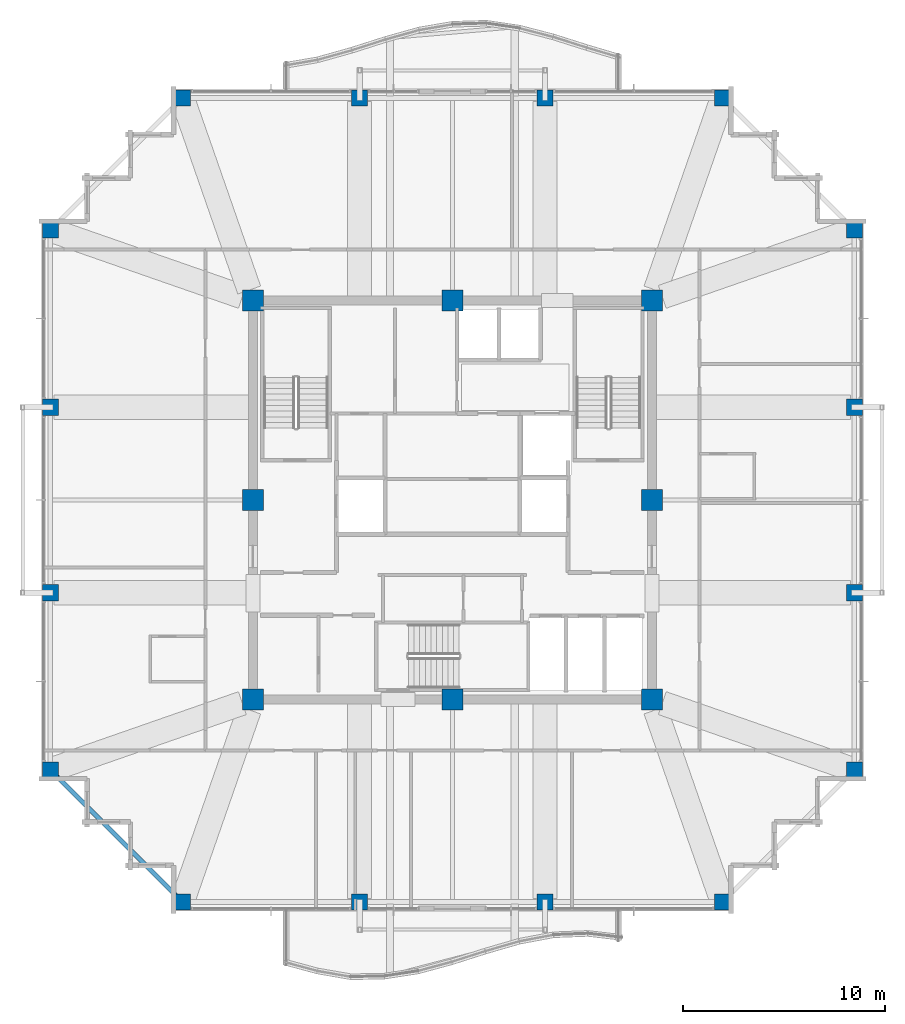
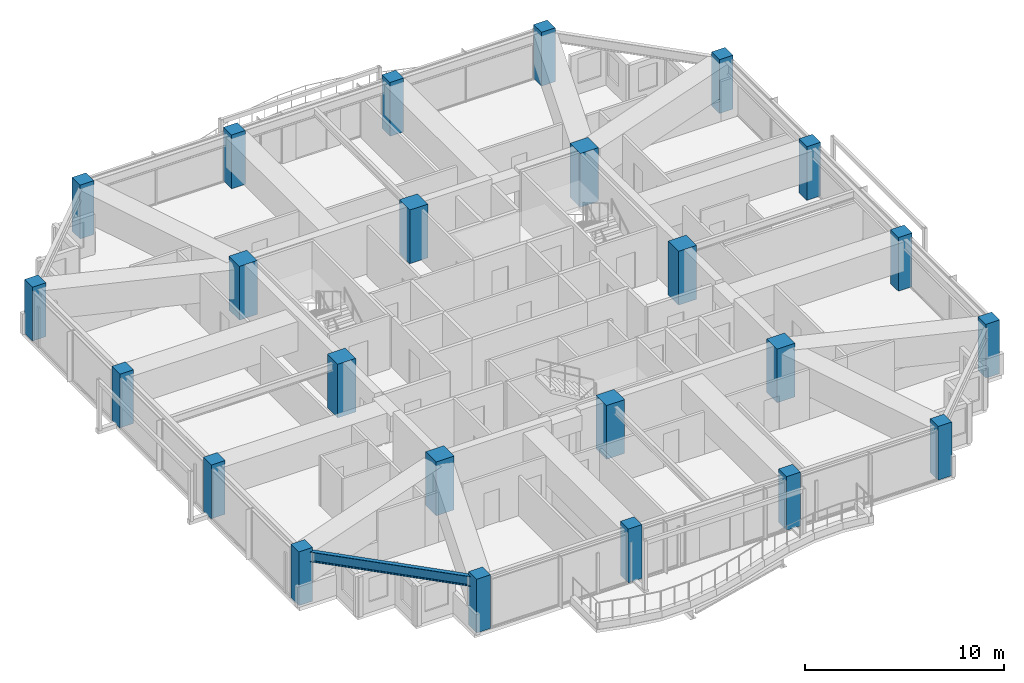
# One storey, part 1 of 37: 24 columns, 1 beam.
"""IFC4 building model written with IfcOpenShell, lengths in metres."""

import ifcopenshell
import ifcopenshell.guid

model = None  # the IFC model being written
_history = None  # IfcOwnerHistory: only IFC2X3 demands one
_inside = {}  # id of a spatial element -> (the spatial element, [elements in it])
_under = {}  # id of a project, library or spatial element -> (it, [spatial elements below it])
_declared = {}  # id of a project -> (the project, [libraries it declares])
_typed = {}  # id of a type object -> (the type object, [elements of that type])
_made_of = {}  # id of a material, layer set ... -> (it, [elements and type objects made of it])


def new_model(schema):
    """Start an empty IFC model of exactly this schema.

    Asked for "IFC4X3", IfcOpenShell would pick the latest addendum, in which some entities
    have other attributes; the version numbers below select the first issue.
    IFC2X3 requires an IfcOwnerHistory on every rooted entity: one is made here for all.
    """
    global model, _history
    if schema == "IFC4X3":
        model = ifcopenshell.file(schema_version=(4, 3, 0, 0))
    else:
        model = ifcopenshell.file(schema=schema)
    _inside.clear()
    _under.clear()
    _declared.clear()
    _typed.clear()
    _made_of.clear()
    _history = None
    if model.schema == "IFC2X3":
        org = make("IfcOrganization", Name="unknown")
        user = make(
            "IfcPersonAndOrganization",
            ThePerson=make("IfcPerson", FamilyName="unknown"),
            TheOrganization=org,
        )
        app = make(
            "IfcApplication",
            ApplicationDeveloper=org,
            Version="unknown",
            ApplicationFullName="unknown",
            ApplicationIdentifier="unknown",
        )
        _history = make(
            "IfcOwnerHistory",
            OwningUser=user,
            OwningApplication=app,
            ChangeAction="ADDED",
            CreationDate=0,
        )
    return model


def make(cls, **values):
    """One entity of the class cls with the attributes given. An attribute that is None is left unset."""
    return model.create_entity(
        cls, **{name: value for name, value in values.items() if value is not None}
    )


def rooted(cls, **values):
    """An entity with a GlobalId (a new one), such as an element, a storey or a relation."""
    return make(cls, GlobalId=ifcopenshell.guid.new(), OwnerHistory=_history, **values)


def si_unit(unit_type, name, prefix=None):
    """IfcSIUnit, for example si_unit("LENGTHUNIT", "METRE", prefix="MILLI")."""
    return make("IfcSIUnit", UnitType=unit_type, Prefix=prefix, Name=name)


def assignment(units):
    """IfcUnitAssignment: the units of a project."""
    return None if units is None else make("IfcUnitAssignment", Units=units)


def point(xyz):
    """IfcCartesianPoint."""
    return None if xyz is None else make("IfcCartesianPoint", Coordinates=xyz)


def direction(xyz):
    """IfcDirection."""
    return None if xyz is None else make("IfcDirection", DirectionRatios=xyz)


def frame(location, z_axis=None, x_axis=None):
    """IfcAxis2Placement3D, a coordinate frame: its origin and axes. An axis left out is left unset."""
    return make(
        "IfcAxis2Placement3D",
        Location=point(location),
        Axis=direction(z_axis),
        RefDirection=direction(x_axis),
    )


def frame_2d(location, x_axis=None):
    """IfcAxis2Placement2D, a coordinate frame in the plane: its origin and x axis."""
    return make(
        "IfcAxis2Placement2D", Location=point(location), RefDirection=direction(x_axis)
    )


def origin():
    """The frame at (0, 0, 0) with its axes left unset."""
    return frame((0.0, 0.0, 0.0))


def origin_2d():
    """The frame at (0, 0) in the plane with its x axis left unset."""
    return frame_2d((0.0, 0.0))


def place(relative_to, where):
    """IfcLocalPlacement: puts the frame where relative to a parent placement (None: the world)."""
    return make(
        "IfcLocalPlacement", PlacementRelTo=relative_to, RelativePlacement=where
    )


def context(
    kind, dimensions, precision=None, world=None, true_north=None, identifier=None
):
    """IfcGeometricRepresentationContext, for example the 3D "Model" context."""
    return make(
        "IfcGeometricRepresentationContext",
        ContextIdentifier=identifier,
        ContextType=kind,
        CoordinateSpaceDimension=dimensions,
        Precision=precision,
        WorldCoordinateSystem=world,
        TrueNorth=true_north,
    )


def subcontext(parent, identifier, kind, view, scale=None):
    """IfcGeometricRepresentationSubContext, for example "Body" below "Model"."""
    return make(
        "IfcGeometricRepresentationSubContext",
        ContextIdentifier=identifier,
        ContextType=kind,
        ParentContext=parent,
        TargetScale=scale,
        TargetView=view,
    )


def project(units=None, contexts=None):
    """IfcProject with its units and contexts."""
    return rooted(
        "IfcProject",
        Name="project",
        RepresentationContexts=contexts,
        UnitsInContext=assignment(units),
    )


def spatial(cls, under=None, at=None, **own):
    """A site, building, storey or space (cls), placed at a placement, below another one or the project."""
    s = rooted(cls, ObjectPlacement=at, **own)
    if under is not None:
        _under.setdefault(under.id(), (under, []))[1].append(s)
    return s


def profile(cls, at=None, kind="AREA", **sizes):
    """A parametric profile (cls). Its sizes go by their IFC names, for example OverallWidth=200.0."""
    return make(cls, ProfileType=kind, Position=at, **sizes)


def rectangle(**sizes):
    """IfcRectangleProfileDef."""
    return profile("IfcRectangleProfileDef", **sizes)


def i_section(**sizes):
    """IfcIShapeProfileDef."""
    return profile("IfcIShapeProfileDef", **sizes)


def extrude(swept, where, along, depth):
    """IfcExtrudedAreaSolid: the profile swept, set in the frame where, extruded along a direction by depth."""
    return make(
        "IfcExtrudedAreaSolid",
        SweptArea=swept,
        Position=where,
        ExtrudedDirection=direction(along),
        Depth=depth,
    )


def shape(context_of_items, identifier, shape_type, items):
    """IfcShapeRepresentation: the items that make up one representation, for example the "Body"."""
    return make(
        "IfcShapeRepresentation",
        ContextOfItems=context_of_items,
        RepresentationIdentifier=identifier,
        RepresentationType=shape_type,
        Items=items,
    )


def material(Name=None, Category=None):
    """IfcMaterial."""
    return make("IfcMaterial", Name=Name, Category=Category)


def material_profile(
    of_material, cross_section, Name=None, Category=None, Priority=None
):
    """IfcMaterialProfile: a cross section and its material."""
    return make(
        "IfcMaterialProfile",
        Name=Name,
        Material=of_material,
        Profile=cross_section,
        Priority=Priority,
        Category=Category,
    )


def profile_set(profiles, Name=None, composite=None):
    """IfcMaterialProfileSet."""
    return make(
        "IfcMaterialProfileSet",
        Name=Name,
        MaterialProfiles=profiles,
        CompositeProfile=composite,
    )


def made_of(thing, what):
    """Note that an element or type object is made of a material, layer set ...; save() writes the relation."""
    if what is not None:
        _made_of.setdefault(what.id(), (what, []))[1].append(thing)
    return thing


def type_object(cls, material=None, **own):
    """A type object (cls), such as IfcWallType, which elements share."""
    return made_of(rooted(cls, **own), material)


def element(
    cls,
    number,
    at=None,
    inside=None,
    cuts=None,
    type_object=None,
    material=None,
    context=None,
    identifier="Body",
    shape_type=None,
    held_by="IfcProductDefinitionShape",
    body=None,
    shapes=None,
    **own,
):
    """One element of the class cls, such as IfcWall. Its Tag is "e" and its number.

    at: its placement. inside: the storey or other place that contains it. cuts: it is an
    opening in that element (IfcRelVoidsElement). A single representation is given by context,
    identifier, shape_type and body (its items); several are given by shapes. held_by: the class
    of the entity that holds the representations. save() writes the other relations.
    """
    e = rooted(cls, Tag="e%d" % number, ObjectPlacement=at, **own)
    if body is not None:
        shapes = [shape(context, identifier, shape_type, body)]
    if shapes is not None:
        e.Representation = make(held_by, Representations=shapes)
    if inside is not None:
        _inside.setdefault(inside.id(), (inside, []))[1].append(e)
    if cuts is not None:
        rooted(
            "IfcRelVoidsElement", RelatingBuildingElement=cuts, RelatedOpeningElement=e
        )
    if type_object is not None:
        _typed.setdefault(type_object.id(), (type_object, []))[1].append(e)
    return made_of(e, material)


def aggregate(whole, parts):
    """IfcRelAggregates: a whole, such as a stair, and the parts it consists of."""
    return rooted("IfcRelAggregates", RelatingObject=whole, RelatedObjects=parts)


def save(model, path):
    """Write the relations noted so far, then the file.

    IfcRelAggregates (storeys below a building ...), IfcRelContainedInSpatialStructure (elements
    in a storey), IfcRelDefinesByType, IfcRelAssociatesMaterial and IfcRelDeclares: one each for
    every whole, place, type object, material and project.
    """
    for whole, parts in _under.values():
        aggregate(whole, parts)
    for where, things in _inside.values():
        rooted(
            "IfcRelContainedInSpatialStructure",
            RelatedElements=things,
            RelatingStructure=where,
        )
    for kind, things in _typed.values():
        rooted("IfcRelDefinesByType", RelatedObjects=things, RelatingType=kind)
    for what, things in _made_of.values():
        rooted("IfcRelAssociatesMaterial", RelatedObjects=things, RelatingMaterial=what)
    for by, libraries in _declared.values():
        rooted("IfcRelDeclares", RelatingContext=by, RelatedDefinitions=libraries)
    model.write(path)


model = new_model("IFC4")

# Units and contexts
model_context = context("Model", 3, precision=1e-05, world=origin(), true_north=direction((0.0, 1.0)))
body_context = subcontext(model_context, "Body", "Model", "MODEL_VIEW")
ifc_project = project(units=[si_unit("LENGTHUNIT", "METRE"), si_unit("AREAUNIT", "SQUARE_METRE"), si_unit("VOLUMEUNIT", "CUBIC_METRE"), si_unit("PLANEANGLEUNIT", "RADIAN"), si_unit("MASSUNIT", "GRAM", prefix="KILO")], contexts=[model_context])

# Site, building, storey
site_placement = place(None, origin())
site = spatial("IfcSite", under=ifc_project, at=site_placement, CompositionType="ELEMENT")
building_placement = place(site_placement, origin())
building = spatial("IfcBuilding", under=site, at=building_placement, Name="Kolvaren Belvedere", CompositionType="ELEMENT")
storey_placement = place(building_placement, frame((0.0, 0.0, 219.60009765625)))
storey = spatial("IfcBuildingStorey", under=building, at=storey_placement, Name="L64", CompositionType="ELEMENT", Elevation=219.60009765625)

# Columns
ifc_material_1 = material(Name="Concrete C50/60", Category="concrete")
ifc_material_profile_1 = material_profile(ifc_material_1, rectangle(XDim=1.050048828125, YDim=1.050048828125, at=origin_2d()), Name="RC 1050X1050")
ifc_profile_set_1 = profile_set([ifc_material_profile_1], Name="Concrete C50/60")
column_type_1 = type_object("IfcColumnType", Name="COL-RC-1050", PredefinedType="COLUMN", material=ifc_profile_set_1)
for number, where, z_axis, x_axis, name in (
    (1, (-9.89990234375, -9.89990234375, 0.0), (0.0, 0.0, 1.0), (1.0, 0.0, 0.0), "L64 Core Column CC1"),
    (2, (9.89990234375, -9.89990234375, 0.0), (0.0, 0.0, 1.0), (1.0, 0.0, 0.0), "L64 Core Column CC2"),
    (3, (9.89990234375, 9.89990234375, 0.0), (0.0, 0.0, 1.0), (1.0, 0.0, 0.0), "L64 Core Column CC3"),
    (4, (-9.89990234375, 9.89990234375, 0.0), (0.0, 0.0, 1.0), (1.0, 0.0, 0.0), "L64 Core Column CC4"),
    (5, (0.0, -9.89990234375, 0.0), (0.0, 0.0, 1.0), (1.0, 0.0, 0.0), "L64 Core Column CM1"),
    (6, (9.89990234375, 0.0, 0.0), (0.0, 0.0, 1.0), (1.0, 0.0, 0.0), "L64 Core Column CM2"),
    (7, (0.0, 9.89990234375, 0.0), (0.0, 0.0, 1.0), (1.0, 0.0, 0.0), "L64 Core Column CM3"),
    (8, (-9.89990234375, 0.0, 0.0), (0.0, 0.0, 1.0), (1.0, 0.0, 0.0), "L64 Core Column CM4"),
):
    element("IfcColumn", number, at=place(storey_placement, frame(where, z_axis=z_axis, x_axis=x_axis)), inside=storey, type_object=column_type_1, Name=name, PredefinedType="COLUMN", context=body_context, shape_type="SweptSolid", body=[
        extrude(rectangle(XDim=1.050048828125, YDim=1.050048828125, at=origin_2d()), origin(), (0.0, 0.0, 1.0), 3.2998046875),
    ])
ifc_material_2 = material(Name="Concrete C50/60", Category="concrete")
ifc_material_profile_2 = material_profile(ifc_material_2, rectangle(XDim=0.800048828125, YDim=0.800048828125, at=origin_2d()), Name="RC 800X800")
ifc_profile_set_2 = profile_set([ifc_material_profile_2], Name="Concrete C50/60")
column_type_2 = type_object("IfcColumnType", Name="COL-RC-800", PredefinedType="COLUMN", material=ifc_profile_set_2)
for number, where, z_axis, x_axis, name in (
    (9, (-13.39990234375, -19.949951171875, 0.0), (0.0, 0.0, 1.0), (1.0, 0.0, 0.0), "L64 Perimeter Column S1"),
    (10, (-4.60009765625, -19.949951171875, 0.0), (0.0, 0.0, 1.0), (1.0, 0.0, 0.0), "L64 Perimeter Column S2"),
    (11, (4.60009765625, -19.949951171875, 0.0), (0.0, 0.0, 1.0), (1.0, 0.0, 0.0), "L64 Perimeter Column S3"),
    (12, (13.39990234375, -19.949951171875, 0.0), (0.0, 0.0, 1.0), (1.0, 0.0, 0.0), "L64 Perimeter Column S4"),
    (13, (-13.39990234375, 19.949951171875, 0.0), (0.0, 0.0, 1.0), (1.0, 0.0, 0.0), "L64 Perimeter Column N1"),
    (14, (-4.60009765625, 19.949951171875, 0.0), (0.0, 0.0, 1.0), (1.0, 0.0, 0.0), "L64 Perimeter Column N2"),
    (15, (4.60009765625, 19.949951171875, 0.0), (0.0, 0.0, 1.0), (1.0, 0.0, 0.0), "L64 Perimeter Column N3"),
    (16, (13.39990234375, 19.949951171875, 0.0), (0.0, 0.0, 1.0), (1.0, 0.0, 0.0), "L64 Perimeter Column N4"),
    (17, (-19.949951171875, -13.39990234375, 0.0), (0.0, 0.0, 1.0), (1.0, 0.0, 0.0), "L64 Perimeter Column W1"),
    (18, (-19.949951171875, -4.60009765625, 0.0), (0.0, 0.0, 1.0), (1.0, 0.0, 0.0), "L64 Perimeter Column W2"),
    (19, (-19.949951171875, 4.60009765625, 0.0), (0.0, 0.0, 1.0), (1.0, 0.0, 0.0), "L64 Perimeter Column W3"),
    (20, (-19.949951171875, 13.39990234375, 0.0), (0.0, 0.0, 1.0), (1.0, 0.0, 0.0), "L64 Perimeter Column W4"),
    (21, (19.949951171875, -13.39990234375, 0.0), (0.0, 0.0, 1.0), (1.0, 0.0, 0.0), "L64 Perimeter Column E1"),
    (22, (19.949951171875, -4.60009765625, 0.0), (0.0, 0.0, 1.0), (1.0, 0.0, 0.0), "L64 Perimeter Column E2"),
    (23, (19.949951171875, 4.60009765625, 0.0), (0.0, 0.0, 1.0), (1.0, 0.0, 0.0), "L64 Perimeter Column E3"),
    (24, (19.949951171875, 13.39990234375, 0.0), (0.0, 0.0, 1.0), (1.0, 0.0, 0.0), "L64 Perimeter Column E4"),
):
    element("IfcColumn", number, at=place(storey_placement, frame(where, z_axis=z_axis, x_axis=x_axis)), inside=storey, type_object=column_type_2, Name=name, PredefinedType="COLUMN", context=body_context, shape_type="SweptSolid", body=[
        extrude(rectangle(XDim=0.800048828125, YDim=0.800048828125, at=origin_2d()), origin(), (0.0, 0.0, 1.0), 3.2998046875),
    ])

# Beam
ifc_material_3 = material(Name="Structural steel ASTM A992 Grade 50", Category="steel")
ifc_material_profile_3 = material_profile(ifc_material_3, i_section(OverallWidth=0.22900390625, OverallDepth=0.612060546875, WebThickness=0.011962890625, FlangeThickness=0.01953125, FilletRadius=0.01806640625, at=origin_2d()), Name="W24X84")
ifc_profile_set_3 = profile_set([ifc_material_profile_3], Name="Structural steel ASTM A992 Grade 50")
beam_type = type_object("IfcBeamType", Name="BM-SPAN-W24X84", PredefinedType="SPANDREL", material=ifc_profile_set_3)
beam_placement = place(storey_placement, frame((-19.82275390625, -13.52734375, 2.77392578125), z_axis=(0.707106781187, -0.707106781187, 0.0), x_axis=(0.707106781187, 0.707106781187, 0.0)))
element("IfcBeam", 25, at=beam_placement, inside=storey, type_object=beam_type, Name="L64 Perimeter Spandrel W1-S1", PredefinedType="SPANDREL", context=body_context, shape_type="SweptSolid", body=[
    extrude(i_section(OverallWidth=0.22900390625, OverallDepth=0.612060546875, WebThickness=0.011962890625, FlangeThickness=0.01953125, FilletRadius=0.01806640625, at=origin_2d()), origin(), (0.0, 0.0, 1.0), 8.903076171875),
])

save(model, "model.ifc")
